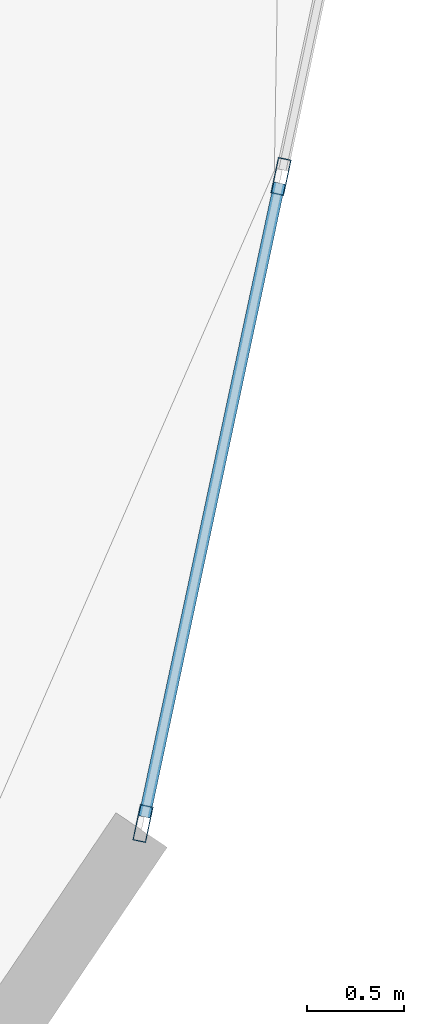
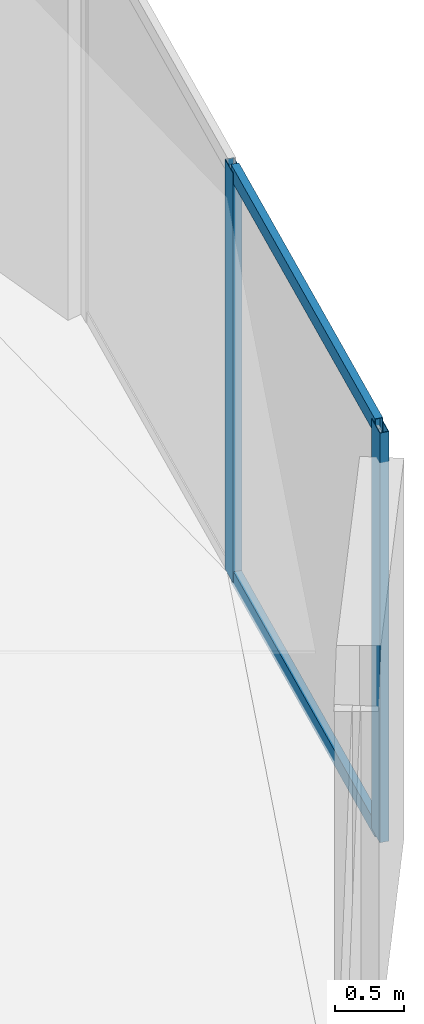
# One storey, part 10 of 24: 4 members, 1 element without a shape of its own.
"""IFC4 building model written with IfcOpenShell, lengths in metres."""

from ifc_helpers import new_model, si_unit, direction, frame, origin, origin_2d, place, context, subcontext, project, spatial, hollow_rectangle, extrude, source, transform, mapped, material, layer, layer_set, material_profile, profile_set, type_object, element, aggregate, save


model = new_model("IFC4")

# Units and contexts
model_context = context("Model", 3, precision=1e-05, world=origin(), true_north=direction((0.0, 1.0)))
body_context = subcontext(model_context, "Body", "Model", "MODEL_VIEW")
ifc_project = project(units=[si_unit("LENGTHUNIT", "METRE"), si_unit("AREAUNIT", "SQUARE_METRE"), si_unit("VOLUMEUNIT", "CUBIC_METRE"), si_unit("PLANEANGLEUNIT", "RADIAN"), si_unit("MASSUNIT", "GRAM", prefix="KILO")], contexts=[model_context])

# Site, building, storey
site_placement = place(None, origin())
site = spatial("IfcSite", under=ifc_project, at=site_placement, CompositionType="ELEMENT")
building_placement = place(site_placement, origin())
building = spatial("IfcBuilding", under=site, at=building_placement, Name="Solvirekh Grand Hotel", CompositionType="ELEMENT")
storey_placement = place(building_placement, frame((0.0, 0.0, 82.39990234375)))
storey = spatial("IfcBuildingStorey", under=building, at=storey_placement, Name="L20", CompositionType="ELEMENT", Elevation=82.39990234375)

# Curtain wall, members
ifc_material = material(Name="Anodized Bronze Aluminium 6063-T6", Category="aluminium")
ifc_layer = layer(ifc_material, 0.18994140625)
ifc_layer_set = layer_set([ifc_layer], Name="Anodized Bronze Aluminium 6063-T6")
curtain_wall_type = type_object("IfcCurtainWallType", Name="CW_Sys2_LowZoneFlushBronzeCW", PredefinedType="NOTDEFINED", material=ifc_layer_set)
curtain_wall_placement = place(storey_placement, origin())
curtain_wall = element("IfcCurtainWall", 1, at=curtain_wall_placement, inside=storey, type_object=curtain_wall_type, Name="L20 unitised bronze-glass curtain wall CW-L20-C01", PredefinedType="NOTDEFINED")
ifc_material_profile_1 = material_profile(ifc_material, hollow_rectangle(XDim=0.070068359375, YDim=0.18994140625, WallThickness=0.0048828125, at=origin_2d()), Name="ALU RHS 190X70X5")
ifc_profile_set_1 = profile_set([ifc_material_profile_1], Name="Anodized Bronze Aluminium 6063-T6")
member_type_1 = type_object("IfcMemberType", Name="CWMullion_Sys2", PredefinedType="MULLION", material=ifc_profile_set_1)
shared_shape_1 = source(origin(), body_context, "Body", "SweptSolid", [
    extrude(hollow_rectangle(XDim=0.070068359375, YDim=0.18994140625, WallThickness=0.0048828125, at=origin_2d()), origin(), (0.0, 0.0, 1.0), 3.60009765625),
])
member_1_placement = place(storey_placement, frame((26.00341796875, -10.53271484375, 0.0), z_axis=(0.0, 0.0, 1.0), x_axis=(-0.97799008642, 0.208651362001, 0.0)))
member_1 = element("IfcMember", 2, at=member_1_placement, type_object=member_type_1, Name="U02 mullion 1", PredefinedType="MULLION", context=body_context, shape_type="MappedRepresentation", body=[
    mapped(shared_shape_1, transform((0.0, 0.0, 0.0), x_axis=(1.0, 0.0, 0.0), y_axis=(0.0, 1.0, 0.0), z_axis=(0.0, 0.0, 1.0), scale=1.0)),
])
member_2_placement = place(storey_placement, frame((26.718505859375, -7.180419921875, 0.0), z_axis=(0.0, 0.0, 1.0), x_axis=(-0.97799008642, 0.208651362001, 0.0)))
member_2 = element("IfcMember", 3, at=member_2_placement, type_object=member_type_1, Name="U02 mullion 2", PredefinedType="MULLION", context=body_context, shape_type="MappedRepresentation", body=[
    mapped(shared_shape_1, transform((0.0, 0.0, 0.0), x_axis=(1.0, 0.0, 0.0), y_axis=(0.0, 1.0, 0.0), z_axis=(0.0, 0.0, 1.0), scale=1.0)),
])
ifc_material_profile_2 = material_profile(ifc_material, hollow_rectangle(XDim=0.06005859375, YDim=0.135009765625, WallThickness=0.00390625, at=origin_2d()), Name="ALU RHS 135X60X4")
ifc_profile_set_2 = profile_set([ifc_material_profile_2], Name="Anodized Bronze Aluminium 6063-T6")
member_type_2 = type_object("IfcMemberType", Name="CWTransom_Sys2", PredefinedType="USERDEFINED", material=ifc_profile_set_2)
shared_shape_2 = source(origin(), body_context, "Body", "SweptSolid", [
    extrude(hollow_rectangle(XDim=0.06005859375, YDim=0.135009765625, WallThickness=0.00390625, at=origin_2d()), origin(), (0.0, 0.0, 1.0), 3.357666015625),
])
member_3_placement = place(storey_placement, frame((26.010498046875, -10.49853515625, 0.030029296875), z_axis=(0.20868483641, 0.977982944152, 0.0), x_axis=(-0.977982944152, 0.20868483641, 0.0)))
member_3 = element("IfcMember", 4, at=member_3_placement, type_object=member_type_2, Name="U02 transom 1.1", ObjectType="TRANSOM", PredefinedType="USERDEFINED", context=body_context, shape_type="MappedRepresentation", body=[
    mapped(shared_shape_2, transform((0.0, 0.0, 0.0), x_axis=(1.0, 0.0, 0.0), y_axis=(0.0, 1.0, 0.0), z_axis=(0.0, 0.0, 1.0), scale=1.0)),
])
member_4_placement = place(storey_placement, frame((26.010498046875, -10.49853515625, 3.570068359375), z_axis=(0.20868483641, 0.977982944152, 0.0), x_axis=(-0.977982944152, 0.20868483641, 0.0)))
member_4 = element("IfcMember", 5, at=member_4_placement, type_object=member_type_2, Name="U02 transom 1.2", ObjectType="TRANSOM", PredefinedType="USERDEFINED", context=body_context, shape_type="MappedRepresentation", body=[
    mapped(shared_shape_2, transform((0.0, 0.0, 0.0), x_axis=(1.0, 0.0, 0.0), y_axis=(0.0, 1.0, 0.0), z_axis=(0.0, 0.0, 1.0), scale=1.0)),
])
aggregate(curtain_wall, [member_1, member_2, member_3, member_4])

save(model, "model.ifc")
